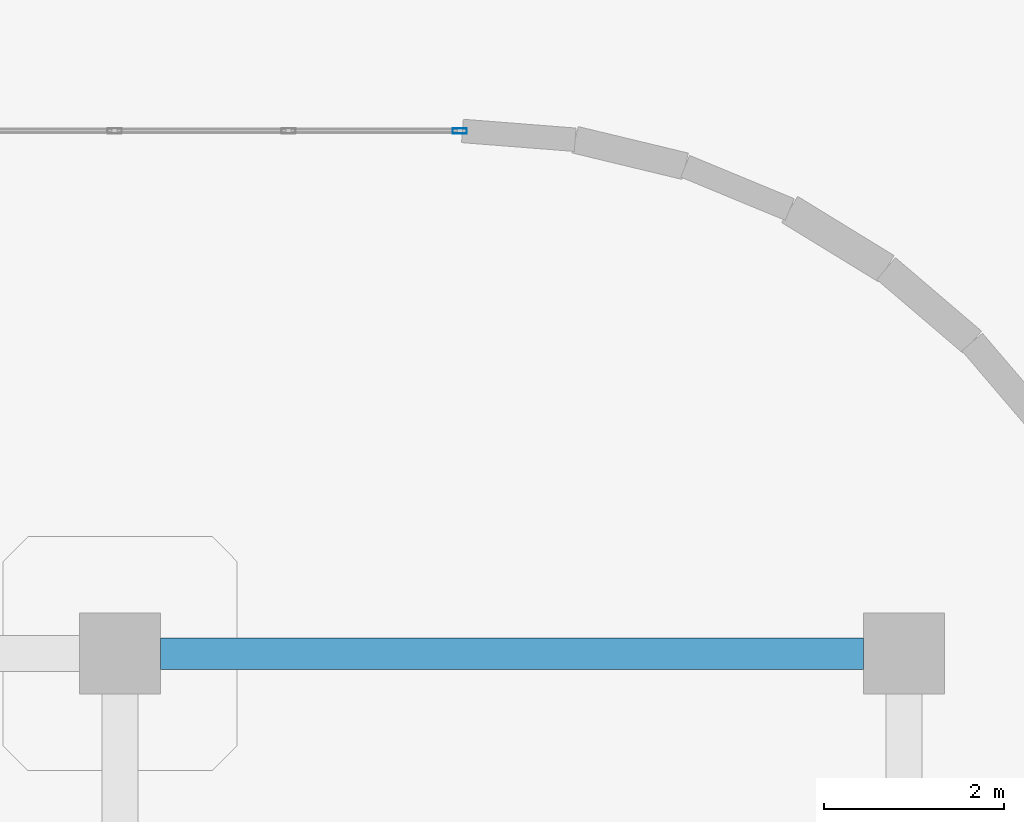
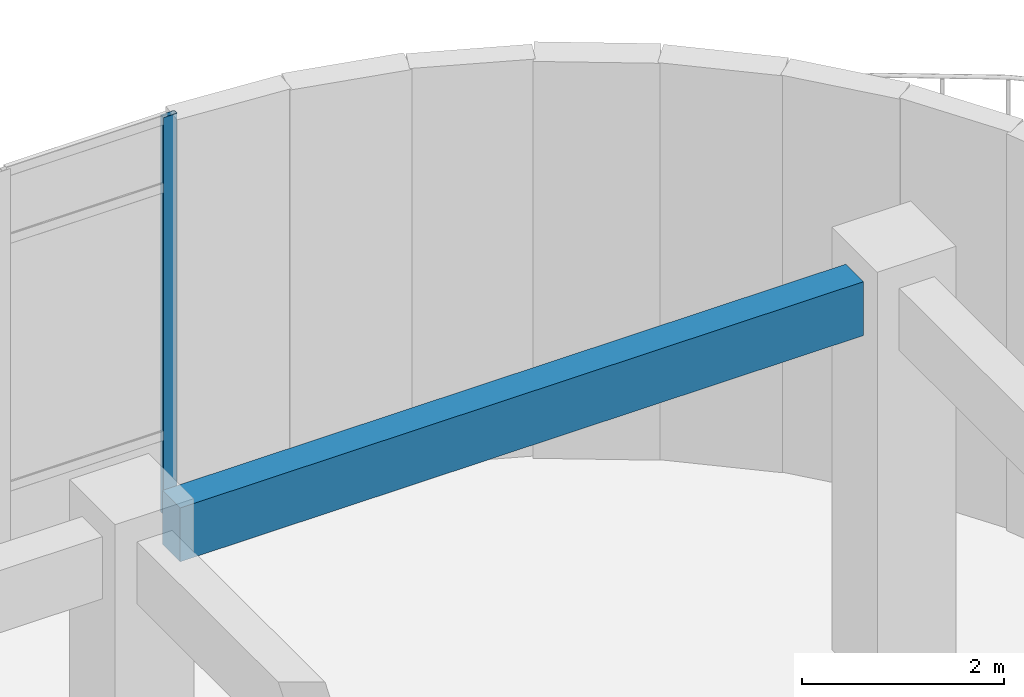
# One storey, part 70 of 120: 1 beam, 1 member, 1 element without a shape of its own.
"""IFC4 building model written with IfcOpenShell, lengths in metres."""

import ifcopenshell
import ifcopenshell.guid

model = None  # the IFC model being written
_history = None  # IfcOwnerHistory: only IFC2X3 demands one
_inside = {}  # id of a spatial element -> (the spatial element, [elements in it])
_under = {}  # id of a project, library or spatial element -> (it, [spatial elements below it])
_declared = {}  # id of a project -> (the project, [libraries it declares])
_typed = {}  # id of a type object -> (the type object, [elements of that type])
_made_of = {}  # id of a material, layer set ... -> (it, [elements and type objects made of it])


def new_model(schema):
    """Start an empty IFC model of exactly this schema.

    Asked for "IFC4X3", IfcOpenShell would pick the latest addendum, in which some entities
    have other attributes; the version numbers below select the first issue.
    IFC2X3 requires an IfcOwnerHistory on every rooted entity: one is made here for all.
    """
    global model, _history
    if schema == "IFC4X3":
        model = ifcopenshell.file(schema_version=(4, 3, 0, 0))
    else:
        model = ifcopenshell.file(schema=schema)
    _inside.clear()
    _under.clear()
    _declared.clear()
    _typed.clear()
    _made_of.clear()
    _history = None
    if model.schema == "IFC2X3":
        org = make("IfcOrganization", Name="unknown")
        user = make(
            "IfcPersonAndOrganization",
            ThePerson=make("IfcPerson", FamilyName="unknown"),
            TheOrganization=org,
        )
        app = make(
            "IfcApplication",
            ApplicationDeveloper=org,
            Version="unknown",
            ApplicationFullName="unknown",
            ApplicationIdentifier="unknown",
        )
        _history = make(
            "IfcOwnerHistory",
            OwningUser=user,
            OwningApplication=app,
            ChangeAction="ADDED",
            CreationDate=0,
        )
    return model


def make(cls, **values):
    """One entity of the class cls with the attributes given. An attribute that is None is left unset."""
    return model.create_entity(
        cls, **{name: value for name, value in values.items() if value is not None}
    )


def rooted(cls, **values):
    """An entity with a GlobalId (a new one), such as an element, a storey or a relation."""
    return make(cls, GlobalId=ifcopenshell.guid.new(), OwnerHistory=_history, **values)


def si_unit(unit_type, name, prefix=None):
    """IfcSIUnit, for example si_unit("LENGTHUNIT", "METRE", prefix="MILLI")."""
    return make("IfcSIUnit", UnitType=unit_type, Prefix=prefix, Name=name)


def derived_unit(unit_type, elements):
    """IfcDerivedUnit: a product of units, each with its exponent."""
    return make(
        "IfcDerivedUnit",
        Elements=[
            make("IfcDerivedUnitElement", Unit=unit, Exponent=power)
            for unit, power in elements
        ],
        UnitType=unit_type,
    )


def assignment(units):
    """IfcUnitAssignment: the units of a project."""
    return None if units is None else make("IfcUnitAssignment", Units=units)


def point(xyz):
    """IfcCartesianPoint."""
    return None if xyz is None else make("IfcCartesianPoint", Coordinates=xyz)


def direction(xyz):
    """IfcDirection."""
    return None if xyz is None else make("IfcDirection", DirectionRatios=xyz)


def frame(location, z_axis=None, x_axis=None):
    """IfcAxis2Placement3D, a coordinate frame: its origin and axes. An axis left out is left unset."""
    return make(
        "IfcAxis2Placement3D",
        Location=point(location),
        Axis=direction(z_axis),
        RefDirection=direction(x_axis),
    )


def frame_2d(location, x_axis=None):
    """IfcAxis2Placement2D, a coordinate frame in the plane: its origin and x axis."""
    return make(
        "IfcAxis2Placement2D", Location=point(location), RefDirection=direction(x_axis)
    )


def origin():
    """The frame at (0, 0, 0) with its axes left unset."""
    return frame((0.0, 0.0, 0.0))


def origin_2d():
    """The frame at (0, 0) in the plane with its x axis left unset."""
    return frame_2d((0.0, 0.0))


def place(relative_to, where):
    """IfcLocalPlacement: puts the frame where relative to a parent placement (None: the world)."""
    return make(
        "IfcLocalPlacement", PlacementRelTo=relative_to, RelativePlacement=where
    )


def context(
    kind, dimensions, precision=None, world=None, true_north=None, identifier=None
):
    """IfcGeometricRepresentationContext, for example the 3D "Model" context."""
    return make(
        "IfcGeometricRepresentationContext",
        ContextIdentifier=identifier,
        ContextType=kind,
        CoordinateSpaceDimension=dimensions,
        Precision=precision,
        WorldCoordinateSystem=world,
        TrueNorth=true_north,
    )


def subcontext(parent, identifier, kind, view, scale=None):
    """IfcGeometricRepresentationSubContext, for example "Body" below "Model"."""
    return make(
        "IfcGeometricRepresentationSubContext",
        ContextIdentifier=identifier,
        ContextType=kind,
        ParentContext=parent,
        TargetScale=scale,
        TargetView=view,
    )


def project(units=None, contexts=None):
    """IfcProject with its units and contexts."""
    return rooted(
        "IfcProject",
        Name="project",
        RepresentationContexts=contexts,
        UnitsInContext=assignment(units),
    )


def spatial(cls, under=None, at=None, **own):
    """A site, building, storey or space (cls), placed at a placement, below another one or the project."""
    s = rooted(cls, ObjectPlacement=at, **own)
    if under is not None:
        _under.setdefault(under.id(), (under, []))[1].append(s)
    return s


def profile(cls, at=None, kind="AREA", **sizes):
    """A parametric profile (cls). Its sizes go by their IFC names, for example OverallWidth=200.0."""
    return make(cls, ProfileType=kind, Position=at, **sizes)


def rectangle(**sizes):
    """IfcRectangleProfileDef."""
    return profile("IfcRectangleProfileDef", **sizes)


def hollow_rectangle(**sizes):
    """IfcRectangleHollowProfileDef."""
    return profile("IfcRectangleHollowProfileDef", **sizes)


def extrude(swept, where, along, depth):
    """IfcExtrudedAreaSolid: the profile swept, set in the frame where, extruded along a direction by depth."""
    return make(
        "IfcExtrudedAreaSolid",
        SweptArea=swept,
        Position=where,
        ExtrudedDirection=direction(along),
        Depth=depth,
    )


def shape(context_of_items, identifier, shape_type, items):
    """IfcShapeRepresentation: the items that make up one representation, for example the "Body"."""
    return make(
        "IfcShapeRepresentation",
        ContextOfItems=context_of_items,
        RepresentationIdentifier=identifier,
        RepresentationType=shape_type,
        Items=items,
    )


def material(Name=None, Category=None):
    """IfcMaterial."""
    return make("IfcMaterial", Name=Name, Category=Category)


def layer(
    of_material, thickness, ventilated=None, Name=None, Category=None, Priority=None
):
    """IfcMaterialLayer: one layer of a wall or slab, of a material (None: an air gap)."""
    return make(
        "IfcMaterialLayer",
        Material=of_material,
        LayerThickness=thickness,
        IsVentilated=ventilated,
        Name=Name,
        Category=Category,
        Priority=Priority,
    )


def layer_set(layers, Name=None):
    """IfcMaterialLayerSet."""
    return make("IfcMaterialLayerSet", MaterialLayers=layers, LayerSetName=Name)


def material_profile(
    of_material, cross_section, Name=None, Category=None, Priority=None
):
    """IfcMaterialProfile: a cross section and its material."""
    return make(
        "IfcMaterialProfile",
        Name=Name,
        Material=of_material,
        Profile=cross_section,
        Priority=Priority,
        Category=Category,
    )


def profile_set(profiles, Name=None, composite=None):
    """IfcMaterialProfileSet."""
    return make(
        "IfcMaterialProfileSet",
        Name=Name,
        MaterialProfiles=profiles,
        CompositeProfile=composite,
    )


def made_of(thing, what):
    """Note that an element or type object is made of a material, layer set ...; save() writes the relation."""
    if what is not None:
        _made_of.setdefault(what.id(), (what, []))[1].append(thing)
    return thing


def type_object(cls, material=None, **own):
    """A type object (cls), such as IfcWallType, which elements share."""
    return made_of(rooted(cls, **own), material)


def element(
    cls,
    number,
    at=None,
    inside=None,
    cuts=None,
    type_object=None,
    material=None,
    context=None,
    identifier="Body",
    shape_type=None,
    held_by="IfcProductDefinitionShape",
    body=None,
    shapes=None,
    **own,
):
    """One element of the class cls, such as IfcWall. Its Tag is "e" and its number.

    at: its placement. inside: the storey or other place that contains it. cuts: it is an
    opening in that element (IfcRelVoidsElement). A single representation is given by context,
    identifier, shape_type and body (its items); several are given by shapes. held_by: the class
    of the entity that holds the representations. save() writes the other relations.
    """
    e = rooted(cls, Tag="e%d" % number, ObjectPlacement=at, **own)
    if body is not None:
        shapes = [shape(context, identifier, shape_type, body)]
    if shapes is not None:
        e.Representation = make(held_by, Representations=shapes)
    if inside is not None:
        _inside.setdefault(inside.id(), (inside, []))[1].append(e)
    if cuts is not None:
        rooted(
            "IfcRelVoidsElement", RelatingBuildingElement=cuts, RelatedOpeningElement=e
        )
    if type_object is not None:
        _typed.setdefault(type_object.id(), (type_object, []))[1].append(e)
    return made_of(e, material)


def aggregate(whole, parts):
    """IfcRelAggregates: a whole, such as a stair, and the parts it consists of."""
    return rooted("IfcRelAggregates", RelatingObject=whole, RelatedObjects=parts)


def save(model, path):
    """Write the relations noted so far, then the file.

    IfcRelAggregates (storeys below a building ...), IfcRelContainedInSpatialStructure (elements
    in a storey), IfcRelDefinesByType, IfcRelAssociatesMaterial and IfcRelDeclares: one each for
    every whole, place, type object, material and project.
    """
    for whole, parts in _under.values():
        aggregate(whole, parts)
    for where, things in _inside.values():
        rooted(
            "IfcRelContainedInSpatialStructure",
            RelatedElements=things,
            RelatingStructure=where,
        )
    for kind, things in _typed.values():
        rooted("IfcRelDefinesByType", RelatedObjects=things, RelatingType=kind)
    for what, things in _made_of.values():
        rooted("IfcRelAssociatesMaterial", RelatedObjects=things, RelatingMaterial=what)
    for by, libraries in _declared.values():
        rooted("IfcRelDeclares", RelatingContext=by, RelatedDefinitions=libraries)
    model.write(path)


model = new_model("IFC4")

# Units and contexts
model_context = context("Model", 3, precision=1e-05, world=origin(), true_north=direction((0.0, 1.0)))
body_context = subcontext(model_context, "Body", "Model", "MODEL_VIEW")
ifc_project = project(units=[si_unit("LENGTHUNIT", "METRE"), si_unit("AREAUNIT", "SQUARE_METRE"), si_unit("VOLUMEUNIT", "CUBIC_METRE"), si_unit("PLANEANGLEUNIT", "RADIAN"), si_unit("MASSUNIT", "GRAM", prefix="KILO"), derived_unit("THERMALTRANSMITTANCEUNIT", [(si_unit("MASSUNIT", "GRAM", prefix="KILO"), 1), (si_unit("TIMEUNIT", "SECOND"), -3), (si_unit("THERMODYNAMICTEMPERATUREUNIT", "KELVIN"), -1)])], contexts=[model_context])

# Site, building, storey
site_placement = place(None, origin())
site = spatial("IfcSite", under=ifc_project, at=site_placement, CompositionType="ELEMENT")
building_placement = place(site_placement, origin())
building = spatial("IfcBuilding", under=site, at=building_placement, Name="Qinzheling Arcade Emporium", CompositionType="ELEMENT")
storey_placement = place(building_placement, frame((0.0, 0.0, 11.39990234375)))
storey = spatial("IfcBuildingStorey", under=building, at=storey_placement, Name="L03", CompositionType="ELEMENT", Elevation=11.39990234375)

# Curtain wall, member
ifc_material_1 = material(Name="Anodised aluminium and solar-control double glazing", Category="aluminium")
ifc_layer = layer(ifc_material_1, 0.159912109375, Name="Anodised aluminium and solar-control double glazing", Category="aluminium")
ifc_layer_set = layer_set([ifc_layer], Name="Anodised aluminium and solar-control double glazing")
curtain_wall_type = type_object("IfcCurtainWallType", Name="Food Hall Loggia Curtain Wall", PredefinedType="NOTDEFINED", material=ifc_layer_set)
curtain_wall_placement = place(storey_placement, origin())
curtain_wall = element("IfcCurtainWall", 1, at=curtain_wall_placement, inside=storey, type_object=curtain_wall_type, Name="Curtain Wall CW-L03-207", PredefinedType="NOTDEFINED")
ifc_material_2 = material(Name="Anodised aluminium 6063-T6", Category="aluminium")
ifc_material_profile_1 = material_profile(ifc_material_2, hollow_rectangle(XDim=0.06005859375, YDim=0.159912109375, WallThickness=0.00390625, InnerFilletRadius=0.00390625, OuterFilletRadius=0.008056640625, at=origin_2d()), Name="RHS 160x60x4", Category="aluminium")
ifc_profile_set_1 = profile_set([ifc_material_profile_1], Name="Anodised aluminium 6063-T6")
member_type = type_object("IfcMemberType", Name="Curtain Wall Mullion RHS160x60", PredefinedType="MULLION", material=ifc_profile_set_1)
member_placement = place(storey_placement, frame((160.3701171875, 31.0, 0.0), z_axis=(0.0, 0.0, 1.0), x_axis=(0.0, 1.0, 0.0)))
member = element("IfcMember", 2, at=member_placement, type_object=member_type, Name="CW04 mullion 5", PredefinedType="MULLION", context=body_context, shape_type="SweptSolid", body=[
    extrude(hollow_rectangle(XDim=0.06005859375, YDim=0.159912109375, WallThickness=0.00390625, InnerFilletRadius=0.00390625, OuterFilletRadius=0.008056640625, at=origin_2d()), origin(), (0.0, 0.0, 1.0), 4.7900390625),
])
aggregate(curtain_wall, [member])

# Beam
ifc_material_3 = material(Name="Concrete C40", Category="concrete")
ifc_material_profile_2 = material_profile(ifc_material_3, rectangle(XDim=0.35009765625, YDim=0.64990234375, at=origin_2d()), Name="RC 350x650", Category="concrete")
ifc_profile_set_2 = profile_set([ifc_material_profile_2], Name="Concrete C40")
beam_type = type_object("IfcBeamType", Name="RC Spandrel Edge Beam 350x650 C40", PredefinedType="SPANDREL", material=ifc_profile_set_2)
beam_placement = place(storey_placement, frame((157.050048828125, 25.199951171875, 4.4951171875), z_axis=(1.0, 0.0, 0.0), x_axis=(0.0, 1.0, 0.0)))
element("IfcBeam", 3, at=beam_placement, inside=storey, type_object=beam_type, Name="Beam BM-L03-X-D-19", PredefinedType="SPANDREL", context=body_context, shape_type="SweptSolid", body=[
    extrude(rectangle(XDim=0.35009765625, YDim=0.64990234375, at=origin_2d()), origin(), (0.0, 0.0, 1.0), 7.800048828125),
])

save(model, "model.ifc")
